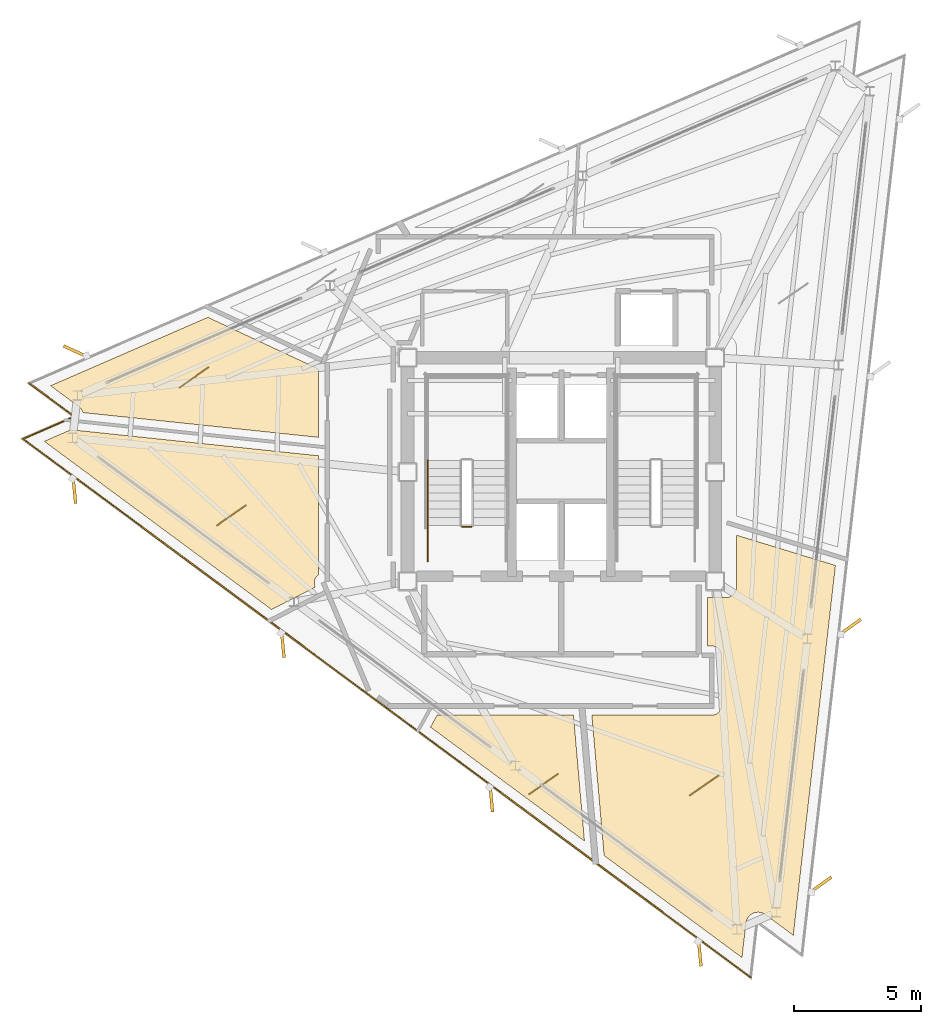
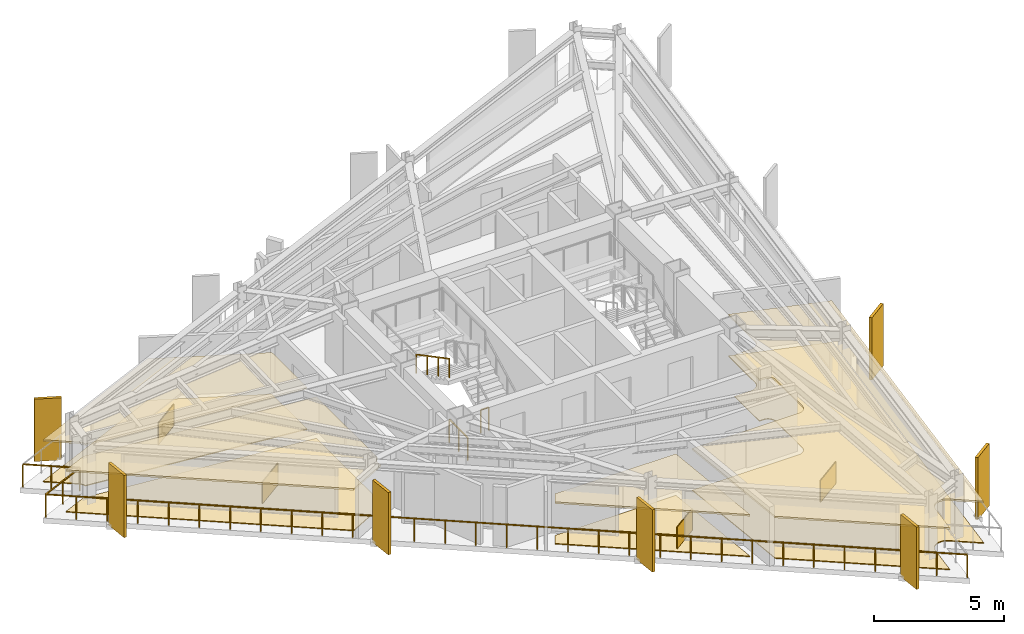
# One storey, part 8 of 10: 12 coverings, 7 shading devices, 4 railings.
"""IFC4 building model written with IfcOpenShell, lengths in metres."""

from ifc_helpers import new_model, si_unit, direction, frame, origin, origin_2d, place, context, subcontext, project, spatial, polyline, rectangle, outline, extrude, material, layer, layer_set, type_object, element, save


model = new_model("IFC4")

# Units and contexts
model_context = context("Model", 3, precision=1e-05, world=origin(), true_north=direction((0.0, 1.0)))
body_context = subcontext(model_context, "Body", "Model", "MODEL_VIEW")
ifc_project = project(units=[si_unit("LENGTHUNIT", "METRE"), si_unit("AREAUNIT", "SQUARE_METRE"), si_unit("VOLUMEUNIT", "CUBIC_METRE"), si_unit("PLANEANGLEUNIT", "RADIAN"), si_unit("MASSUNIT", "GRAM", prefix="KILO")], contexts=[model_context])

# Site, building, storey
site_placement = place(None, origin())
site = spatial("IfcSite", under=ifc_project, at=site_placement, CompositionType="ELEMENT")
building_placement = place(site_placement, origin())
building = spatial("IfcBuilding", under=site, at=building_placement, Name="Rocaltana Carrier Exchange", CompositionType="ELEMENT")
storey_placement = place(building_placement, frame((0.0, 0.0, 230.080078125)))
storey = spatial("IfcBuildingStorey", under=building, at=storey_placement, Name="L73", CompositionType="ELEMENT", Elevation=230.080078125)

# Coverings
ifc_material_1 = material(Name="Honed Bogota Sandstone Tile", Category="masonry")
ifc_layer_1 = layer(ifc_material_1, 0.0400390625)
ifc_layer_set_1 = layer_set([ifc_layer_1], Name="Honed Bogota Sandstone Tile")
covering_type_1 = type_object("IfcCoveringType", Name="Honed Stone Lobby Flooring 40", PredefinedType="FLOORING", material=ifc_layer_set_1)
covering_1_placement = place(storey_placement, origin())
element("IfcCovering", 1, at=covering_1_placement, inside=storey, type_object=covering_type_1, Name="L73 Client Reception Foyer Finish Floor", PredefinedType="FLOORING", context=body_context, shape_type="SweptSolid", body=[
    extrude(outline(polyline([(-19.29052734375, 1.66552734375), (-9.56005859375, 0.642822265625), (-9.56005859375, -4.052001953125), (-9.57177734375, -4.06005859375), (-9.578125, -4.064697265625), (-9.59912109375, -4.082275390625), (-9.60498046875, -4.087646484375), (-9.624267578125, -4.107177734375), (-9.629638671875, -4.113037109375), (-9.64697265625, -4.134521484375), (-9.651611328125, -4.140625), (-9.666748046875, -4.16357421875), (-9.670654296875, -4.17041015625), (-9.68359375, -4.194580078125), (-9.686767578125, -4.201904296875), (-9.697265625, -4.227294921875), (-9.69970703125, -4.234619140625), (-9.70751953125, -4.260986328125), (-9.70947265625, -4.2685546875), (-9.714599609375, -4.295654296875), (-9.7158203125, -4.30322265625), (-9.718505859375, -4.330810546875), (-9.71875, -4.33837890625), (-9.718505859375, -4.365966796875), (-9.71826171875, -4.373779296875), (-9.71533203125, -4.401123046875), (-9.714111328125, -4.408935546875), (-9.70849609375, -4.435791015625), (-9.706787109375, -4.443603515625), (-9.698486328125, -4.4697265625), (-9.69580078125, -4.47705078125), (-9.69091796875, -4.489990234375), (-9.67578125, -4.52587890625), (-11.3994140625, -5.404296875), (-20.337890625, 1.210205078125), (-19.29052734375, 1.66552734375)])), origin(), (0.0, 0.0, 1.0), 0.0400390625),
])
covering_2_placement = place(storey_placement, origin())
element("IfcCovering", 2, at=covering_2_placement, inside=storey, type_object=covering_type_1, Name="L73 Staff Break Pantry Finish Floor", PredefinedType="FLOORING", context=body_context, shape_type="SweptSolid", body=[
    extrude(outline(polyline([(0.47509765625, -9.56005859375), (0.908203125, -14.51123046875), (-5.14794921875, -10.02978515625), (-4.8876953125, -9.56005859375), (0.47509765625, -9.56005859375)])), origin(), (0.0, 0.0, 1.0), 0.0400390625),
])
covering_3_placement = place(storey_placement, origin())
element("IfcCovering", 3, at=covering_3_placement, inside=storey, type_object=covering_type_1, Name="L73 Client Reception Foyer Finish Floor", PredefinedType="FLOORING", context=body_context, shape_type="SweptSolid", body=[
    extrude(outline(polyline([(5.739990234375, -6.840087890625), (5.739990234375, -4.93994140625), (6.449951171875, -4.93994140625), (6.463623046875, -4.939697265625), (6.4794921875, -4.93896484375), (6.5068359375, -4.936279296875), (6.522216796875, -4.933837890625), (6.54931640625, -4.928466796875), (6.564453125, -4.9248046875), (6.5908203125, -4.916748046875), (6.605712890625, -4.91162109375), (6.630859375, -4.90087890625), (6.64501953125, -4.894287109375), (6.66943359375, -4.88134765625), (6.682861328125, -4.873291015625), (6.705810546875, -4.85791015625), (6.71826171875, -4.8486328125), (6.739501953125, -4.8310546875), (6.751220703125, -4.820556640625), (6.7705078125, -4.80126953125), (6.781005859375, -4.78955078125), (6.798583984375, -4.768310546875), (6.807861328125, -4.755615234375), (6.8232421875, -4.73291015625), (6.831298828125, -4.719482421875), (6.84423828125, -4.695068359375), (6.850830078125, -4.680908203125), (6.861572265625, -4.655517578125), (6.86669921875, -4.640869140625), (6.874755859375, -4.614501953125), (6.87841796875, -4.59912109375), (6.8837890625, -4.572265625), (6.88623046875, -4.556884765625), (6.888916015625, -4.529296875), (6.8896484375, -4.513671875), (6.889892578125, -4.5), (6.889892578125, -2.48291015625), (10.7783203125, -3.671630859375), (9.12109375, -18.21826171875), (8.020751953125, -17.404052734375), (8.009521484375, -17.39599609375), (7.992919921875, -17.385009765625), (7.96875, -17.370849609375), (7.951171875, -17.361572265625), (7.92578125, -17.349609375), (7.907470703125, -17.342041015625), (7.881103515625, -17.332763671875), (7.862060546875, -17.3271484375), (7.8349609375, -17.320556640625), (7.815185546875, -17.31689453125), (7.78759765625, -17.31298828125), (7.767822265625, -17.311279296875), (7.739990234375, -17.310302734375), (7.719970703125, -17.310302734375), (7.692138671875, -17.31201171875), (7.67236328125, -17.314208984375), (7.644775390625, -17.31884765625), (7.625244140625, -17.322998046875), (7.59814453125, -17.330078125), (7.579345703125, -17.336181640625), (7.552978515625, -17.34619140625), (7.534912109375, -17.35400390625), (7.509765625, -17.366455078125), (7.492431640625, -17.376220703125), (7.46875, -17.39111328125), (7.452392578125, -17.40234375), (7.430419921875, -17.41943359375), (7.415283203125, -17.4326171875), (7.39501953125, -17.45166015625), (7.381103515625, -17.466064453125), (7.363037109375, -17.4873046875), (7.3505859375, -17.5029296875), (7.334716796875, -17.52587890625), (7.32421875, -17.542724609375), (7.310302734375, -17.56689453125), (7.301513671875, -17.5849609375), (7.290283203125, -17.6103515625), (7.283203125, -17.629150390625), (7.274658203125, -17.655517578125), (7.26953125, -17.6748046875), (7.263671875, -17.7021484375), (7.26025390625, -17.7216796875), (7.25830078125, -17.735595703125), (7.103515625, -19.095458984375), (1.680908203125, -15.0830078125), (1.19775390625, -9.56005859375), (5.919921875, -9.56005859375), (5.93359375, -9.559814453125), (5.941650390625, -9.559326171875), (5.968994140625, -9.556640625), (5.976806640625, -9.555419921875), (6.003662109375, -9.550048828125), (6.01123046875, -9.548095703125), (6.03759765625, -9.540283203125), (6.044921875, -9.53759765625), (6.0703125, -9.527099609375), (6.077392578125, -9.523681640625), (6.101806640625, -9.5107421875), (6.1083984375, -9.506591796875), (6.131103515625, -9.491455078125), (6.137451171875, -9.48681640625), (6.15869140625, -9.46923828125), (6.16455078125, -9.464111328125), (6.18408203125, -9.444580078125), (6.189208984375, -9.438720703125), (6.206787109375, -9.41748046875), (6.21142578125, -9.4111328125), (6.226806640625, -9.388427734375), (6.230712890625, -9.381591796875), (6.24365234375, -9.357421875), (6.2470703125, -9.350341796875), (6.257568359375, -9.324951171875), (6.26025390625, -9.317626953125), (6.268310546875, -9.291259765625), (6.27001953125, -9.28369140625), (6.275390625, -9.256591796875), (6.276611328125, -9.248779296875), (6.279296875, -9.2216796875), (6.27978515625, -9.213623046875), (6.280029296875, -9.199951171875), (6.280029296875, -7.199951171875), (6.27978515625, -7.186279296875), (6.279296875, -7.178466796875), (6.276611328125, -7.151123046875), (6.275390625, -7.143310546875), (6.27001953125, -7.116455078125), (6.268310546875, -7.108642578125), (6.26025390625, -7.08251953125), (6.257568359375, -7.0751953125), (6.2470703125, -7.0498046875), (6.24365234375, -7.04248046875), (6.230712890625, -7.018310546875), (6.226806640625, -7.01171875), (6.21142578125, -6.98876953125), (6.206787109375, -6.982421875), (6.189208984375, -6.961181640625), (6.18408203125, -6.955322265625), (6.16455078125, -6.93603515625), (6.15869140625, -6.9306640625), (6.137451171875, -6.913330078125), (6.131103515625, -6.90869140625), (6.1083984375, -6.893310546875), (6.101806640625, -6.889404296875), (6.077392578125, -6.876220703125), (6.0703125, -6.873046875), (6.044921875, -6.862548828125), (6.03759765625, -6.85986328125), (6.01123046875, -6.851806640625), (6.003662109375, -6.849853515625), (5.976806640625, -6.844482421875), (5.968994140625, -6.843505859375), (5.941650390625, -6.8408203125), (5.93359375, -6.84033203125), (5.919921875, -6.840087890625), (5.739990234375, -6.840087890625)])), origin(), (0.0, 0.0, 1.0), 0.0400390625),
])
covering_4_placement = place(storey_placement, origin())
element("IfcCovering", 4, at=covering_4_placement, inside=storey, type_object=covering_type_1, Name="L73 Client Reception Foyer Finish Floor", PredefinedType="FLOORING", context=body_context, shape_type="SweptSolid", body=[
    extrude(outline(polyline([(-18.81640625, 2.339599609375), (-18.81689453125, 2.3408203125), (-18.825927734375, 2.366943359375), (-18.83349609375, 2.385498046875), (-18.84521484375, 2.410888671875), (-18.8544921875, 2.428466796875), (-18.86865234375, 2.452392578125), (-18.879638671875, 2.468994140625), (-18.896240234375, 2.49169921875), (-18.908935546875, 2.507080078125), (-18.927490234375, 2.52783203125), (-18.941650390625, 2.5419921875), (-18.96240234375, 2.560546875), (-18.977783203125, 2.5732421875), (-18.98876953125, 2.581787109375), (-20.089111328125, 3.39599609375), (-13.90283203125, 6.085693359375), (-9.58984375, 4.07470703125), (-9.578125, 4.064697265625), (-9.57177734375, 4.06005859375), (-9.56005859375, 4.052001953125), (-9.56005859375, 1.36669921875), (-18.81640625, 2.339599609375)])), origin(), (0.0, 0.0, 1.0), 0.0400390625),
])
ifc_material_2 = material(Name="Anodised Aluminium 6063-T6", Category="aluminium")
ifc_layer_2 = layer(ifc_material_2, 0.0849609375)
ifc_layer_set_2 = layer_set([ifc_layer_2], Name="Anodised Aluminium 6063-T6")
covering_type_2 = type_object("IfcCoveringType", Name="Linear Baffle Acoustic Ceiling 85", PredefinedType="CEILING", material=ifc_layer_set_2)
covering_5_placement = place(storey_placement, frame((0.0, 0.0, 1.90283203125)))
element("IfcCovering", 5, at=covering_5_placement, inside=storey, type_object=covering_type_2, Name="L73 Client Reception Foyer Acoustic Ceiling", PredefinedType="CEILING", context=body_context, shape_type="SweptSolid", body=[
    extrude(outline(polyline([(-19.29052734375, 1.66552734375), (-9.56005859375, 0.642822265625), (-9.56005859375, -4.052001953125), (-9.57177734375, -4.06005859375), (-9.578125, -4.064697265625), (-9.59912109375, -4.082275390625), (-9.60498046875, -4.087646484375), (-9.624267578125, -4.107177734375), (-9.629638671875, -4.113037109375), (-9.64697265625, -4.134521484375), (-9.651611328125, -4.140625), (-9.666748046875, -4.16357421875), (-9.670654296875, -4.17041015625), (-9.68359375, -4.194580078125), (-9.686767578125, -4.201904296875), (-9.697265625, -4.227294921875), (-9.69970703125, -4.234619140625), (-9.70751953125, -4.260986328125), (-9.70947265625, -4.2685546875), (-9.714599609375, -4.295654296875), (-9.7158203125, -4.30322265625), (-9.718505859375, -4.330810546875), (-9.71875, -4.33837890625), (-9.718505859375, -4.365966796875), (-9.71826171875, -4.373779296875), (-9.71533203125, -4.401123046875), (-9.714111328125, -4.408935546875), (-9.70849609375, -4.435791015625), (-9.706787109375, -4.443603515625), (-9.698486328125, -4.4697265625), (-9.69580078125, -4.47705078125), (-9.69091796875, -4.489990234375), (-9.67578125, -4.52587890625), (-11.3994140625, -5.404296875), (-20.337890625, 1.210205078125), (-19.29052734375, 1.66552734375)])), origin(), (0.0, 0.0, 1.0), 0.085205078125),
])
covering_6_placement = place(storey_placement, frame((0.0, 0.0, 1.90283203125)))
element("IfcCovering", 6, at=covering_6_placement, inside=storey, type_object=covering_type_2, Name="L73 Staff Break Pantry Acoustic Ceiling", PredefinedType="CEILING", context=body_context, shape_type="SweptSolid", body=[
    extrude(outline(polyline([(0.47509765625, -9.56005859375), (0.908203125, -14.51123046875), (-5.14794921875, -10.02978515625), (-4.8876953125, -9.56005859375), (0.47509765625, -9.56005859375)])), origin(), (0.0, 0.0, 1.0), 0.085205078125),
])
covering_7_placement = place(storey_placement, frame((0.0, 0.0, 1.90283203125)))
element("IfcCovering", 7, at=covering_7_placement, inside=storey, type_object=covering_type_2, Name="L73 Client Reception Foyer Acoustic Ceiling", PredefinedType="CEILING", context=body_context, shape_type="SweptSolid", body=[
    extrude(outline(polyline([(5.739990234375, -6.840087890625), (5.739990234375, -4.93994140625), (6.449951171875, -4.93994140625), (6.463623046875, -4.939697265625), (6.4794921875, -4.93896484375), (6.5068359375, -4.936279296875), (6.522216796875, -4.933837890625), (6.54931640625, -4.928466796875), (6.564453125, -4.9248046875), (6.5908203125, -4.916748046875), (6.605712890625, -4.91162109375), (6.630859375, -4.90087890625), (6.64501953125, -4.894287109375), (6.66943359375, -4.88134765625), (6.682861328125, -4.873291015625), (6.705810546875, -4.85791015625), (6.71826171875, -4.8486328125), (6.739501953125, -4.8310546875), (6.751220703125, -4.820556640625), (6.7705078125, -4.80126953125), (6.781005859375, -4.78955078125), (6.798583984375, -4.768310546875), (6.807861328125, -4.755615234375), (6.8232421875, -4.73291015625), (6.831298828125, -4.719482421875), (6.84423828125, -4.695068359375), (6.850830078125, -4.680908203125), (6.861572265625, -4.655517578125), (6.86669921875, -4.640869140625), (6.874755859375, -4.614501953125), (6.87841796875, -4.59912109375), (6.8837890625, -4.572265625), (6.88623046875, -4.556884765625), (6.888916015625, -4.529296875), (6.8896484375, -4.513671875), (6.889892578125, -4.5), (6.889892578125, -2.48291015625), (10.7783203125, -3.671630859375), (9.12109375, -18.21826171875), (8.020751953125, -17.404052734375), (8.009521484375, -17.39599609375), (7.992919921875, -17.385009765625), (7.96875, -17.370849609375), (7.951171875, -17.361572265625), (7.92578125, -17.349609375), (7.907470703125, -17.342041015625), (7.881103515625, -17.332763671875), (7.862060546875, -17.3271484375), (7.8349609375, -17.320556640625), (7.815185546875, -17.31689453125), (7.78759765625, -17.31298828125), (7.767822265625, -17.311279296875), (7.739990234375, -17.310302734375), (7.719970703125, -17.310302734375), (7.692138671875, -17.31201171875), (7.67236328125, -17.314208984375), (7.644775390625, -17.31884765625), (7.625244140625, -17.322998046875), (7.59814453125, -17.330078125), (7.579345703125, -17.336181640625), (7.552978515625, -17.34619140625), (7.534912109375, -17.35400390625), (7.509765625, -17.366455078125), (7.492431640625, -17.376220703125), (7.46875, -17.39111328125), (7.452392578125, -17.40234375), (7.430419921875, -17.41943359375), (7.415283203125, -17.4326171875), (7.39501953125, -17.45166015625), (7.381103515625, -17.466064453125), (7.363037109375, -17.4873046875), (7.3505859375, -17.5029296875), (7.334716796875, -17.52587890625), (7.32421875, -17.542724609375), (7.310302734375, -17.56689453125), (7.301513671875, -17.5849609375), (7.290283203125, -17.6103515625), (7.283203125, -17.629150390625), (7.274658203125, -17.655517578125), (7.26953125, -17.6748046875), (7.263671875, -17.7021484375), (7.26025390625, -17.7216796875), (7.25830078125, -17.735595703125), (7.103515625, -19.095458984375), (1.680908203125, -15.0830078125), (1.19775390625, -9.56005859375), (5.919921875, -9.56005859375), (5.93359375, -9.559814453125), (5.941650390625, -9.559326171875), (5.968994140625, -9.556640625), (5.976806640625, -9.555419921875), (6.003662109375, -9.550048828125), (6.01123046875, -9.548095703125), (6.03759765625, -9.540283203125), (6.044921875, -9.53759765625), (6.0703125, -9.527099609375), (6.077392578125, -9.523681640625), (6.101806640625, -9.5107421875), (6.1083984375, -9.506591796875), (6.131103515625, -9.491455078125), (6.137451171875, -9.48681640625), (6.15869140625, -9.46923828125), (6.16455078125, -9.464111328125), (6.18408203125, -9.444580078125), (6.189208984375, -9.438720703125), (6.206787109375, -9.41748046875), (6.21142578125, -9.4111328125), (6.226806640625, -9.388427734375), (6.230712890625, -9.381591796875), (6.24365234375, -9.357421875), (6.2470703125, -9.350341796875), (6.257568359375, -9.324951171875), (6.26025390625, -9.317626953125), (6.268310546875, -9.291259765625), (6.27001953125, -9.28369140625), (6.275390625, -9.256591796875), (6.276611328125, -9.248779296875), (6.279296875, -9.2216796875), (6.27978515625, -9.213623046875), (6.280029296875, -9.199951171875), (6.280029296875, -7.199951171875), (6.27978515625, -7.186279296875), (6.279296875, -7.178466796875), (6.276611328125, -7.151123046875), (6.275390625, -7.143310546875), (6.27001953125, -7.116455078125), (6.268310546875, -7.108642578125), (6.26025390625, -7.08251953125), (6.257568359375, -7.0751953125), (6.2470703125, -7.0498046875), (6.24365234375, -7.04248046875), (6.230712890625, -7.018310546875), (6.226806640625, -7.01171875), (6.21142578125, -6.98876953125), (6.206787109375, -6.982421875), (6.189208984375, -6.961181640625), (6.18408203125, -6.955322265625), (6.16455078125, -6.93603515625), (6.15869140625, -6.9306640625), (6.137451171875, -6.913330078125), (6.131103515625, -6.90869140625), (6.1083984375, -6.893310546875), (6.101806640625, -6.889404296875), (6.077392578125, -6.876220703125), (6.0703125, -6.873046875), (6.044921875, -6.862548828125), (6.03759765625, -6.85986328125), (6.01123046875, -6.851806640625), (6.003662109375, -6.849853515625), (5.976806640625, -6.844482421875), (5.968994140625, -6.843505859375), (5.941650390625, -6.8408203125), (5.93359375, -6.84033203125), (5.919921875, -6.840087890625), (5.739990234375, -6.840087890625)])), origin(), (0.0, 0.0, 1.0), 0.085205078125),
])
covering_8_placement = place(storey_placement, frame((0.0, 0.0, 1.90283203125)))
element("IfcCovering", 8, at=covering_8_placement, inside=storey, type_object=covering_type_2, Name="L73 Client Reception Foyer Acoustic Ceiling", PredefinedType="CEILING", context=body_context, shape_type="SweptSolid", body=[
    extrude(outline(polyline([(-18.81640625, 2.339599609375), (-18.81689453125, 2.3408203125), (-18.825927734375, 2.366943359375), (-18.83349609375, 2.385498046875), (-18.84521484375, 2.410888671875), (-18.8544921875, 2.428466796875), (-18.86865234375, 2.452392578125), (-18.879638671875, 2.468994140625), (-18.896240234375, 2.49169921875), (-18.908935546875, 2.507080078125), (-18.927490234375, 2.52783203125), (-18.941650390625, 2.5419921875), (-18.96240234375, 2.560546875), (-18.977783203125, 2.5732421875), (-18.98876953125, 2.581787109375), (-20.089111328125, 3.39599609375), (-13.90283203125, 6.085693359375), (-9.58984375, 4.07470703125), (-9.578125, 4.064697265625), (-9.57177734375, 4.06005859375), (-9.56005859375, 4.052001953125), (-9.56005859375, 1.36669921875), (-18.81640625, 2.339599609375)])), origin(), (0.0, 0.0, 1.0), 0.085205078125),
])

# Railings
ifc_material_3 = material(Name="Brushed Architectural Stainless Tube", Category="steel")
ifc_layer_3 = layer(ifc_material_3, 0.048095703125)
ifc_layer_set_3 = layer_set([ifc_layer_3], Name="Brushed Architectural Stainless Tube")
railing_type_1 = type_object("IfcRailingType", Name="Stair Wall Handrail 920", PredefinedType="HANDRAIL", material=ifc_layer_set_3)
railing_1_placement = place(storey_placement, frame((-5.25, 0.4599609375, 1.688720703125)))
element("IfcRailing", 9, at=railing_1_placement, inside=storey, type_object=railing_type_1, Name="L73 ST-1 stair handrail 2", PredefinedType="HANDRAIL", context=body_context, shape_type="SweptSolid", body=[
    extrude(rectangle(XDim=0.048095703125, YDim=0.048095703125, at=origin_2d()), frame((0.0, 0.0, 0.8759765625), z_axis=(0.0, -0.884359608194, 0.46680625895), x_axis=(1.0, 0.0, 0.0)), (0.0, 0.0, 1.0), 2.894775390625),
    extrude(rectangle(XDim=0.0419921875, YDim=0.0419921875, at=origin_2d()), origin(), (0.0, 0.0, 1.0), 0.851806640625),
    extrude(rectangle(XDim=0.0419921875, YDim=0.0419921875, at=origin_2d()), frame((0.0, -0.853271484375, 0.450439453125)), (0.0, 0.0, 1.0), 0.851806640625),
    extrude(rectangle(XDim=0.0419921875, YDim=0.0419921875, at=origin_2d()), frame((0.0, -1.706787109375, 0.90087890625)), (0.0, 0.0, 1.0), 0.851806640625),
    extrude(rectangle(XDim=0.0419921875, YDim=0.0419921875, at=origin_2d()), frame((0.0, -2.56005859375, 1.351318359375)), (0.0, 0.0, 1.0), 0.851806640625),
])
ifc_material_4 = material(Name="Powder-Coated Aluminium 6063-T6", Category="aluminium")
ifc_layer_4 = layer(ifc_material_4, 0.048095703125)
ifc_layer_set_4 = layer_set([ifc_layer_4], Name="Powder-Coated Aluminium 6063-T6")
railing_type_2 = type_object("IfcRailingType", Name="Stair Well Guardrail 1100", PredefinedType="GUARDRAIL", material=ifc_layer_set_4)
railing_2_placement = place(storey_placement, frame((-3.5400390625, -2.14990234375, 0.0)))
element("IfcRailing", 10, at=railing_2_placement, inside=storey, type_object=railing_type_2, Name="L73 ST-1 stair guard 7", PredefinedType="GUARDRAIL", context=body_context, shape_type="SweptSolid", body=[
    extrude(rectangle(XDim=0.048095703125, YDim=0.048095703125, at=origin_2d()), frame((0.0, 0.0, 1.076171875), z_axis=(-1.0, 0.0, 0.0), x_axis=(0.0, -1.0, 0.0)), (0.0, 0.0, 1.0), 0.35986328125),
    extrude(rectangle(XDim=0.0419921875, YDim=0.0419921875, at=origin_2d()), origin(), (0.0, 0.0, 1.0), 1.052001953125),
    extrude(rectangle(XDim=0.0419921875, YDim=0.0419921875, at=origin_2d()), frame((-0.35986328125, 0.0, 0.0)), (0.0, 0.0, 1.0), 1.052001953125),
])
railing_3_placement = place(storey_placement, frame((-5.25, -3.5, 0.0)))
element("IfcRailing", 11, at=railing_3_placement, inside=storey, type_object=railing_type_2, Name="L73 ST-1 stair guard 9", PredefinedType="GUARDRAIL", context=body_context, shape_type="SweptSolid", body=[
    extrude(rectangle(XDim=0.048095703125, YDim=0.048095703125, at=origin_2d()), frame((0.0, 0.0, 1.076171875), z_axis=(0.0, 1.0, 0.0), x_axis=(-1.0, 0.0, 0.0)), (0.0, 0.0, 1.0), 1.39990234375),
    extrude(rectangle(XDim=0.0419921875, YDim=0.0419921875, at=origin_2d()), origin(), (0.0, 0.0, 1.0), 1.052001953125),
    extrude(rectangle(XDim=0.0419921875, YDim=0.0419921875, at=origin_2d()), frame((0.0, 0.699951171875, 0.0)), (0.0, 0.0, 1.0), 1.052001953125),
    extrude(rectangle(XDim=0.0419921875, YDim=0.0419921875, at=origin_2d()), frame((0.0, 1.39990234375, 0.0)), (0.0, 0.0, 1.0), 1.052001953125),
])

# Coverings
ifc_material_5 = material(Name="Honed Piedra Muneca Sandstone", Category="masonry")
ifc_layer_5 = layer(ifc_material_5, 0.034912109375)
ifc_layer_set_5 = layer_set([ifc_layer_5], Name="Honed Piedra Muneca Sandstone")
covering_type_3 = type_object("IfcCoveringType", Name="Stone Facade Cladding 35", PredefinedType="CLADDING", material=ifc_layer_set_5)
for number, where, z_axis, x_axis, name in (
    (12, (-12.9794921875, -1.70458984375, 0.0), (0.0, 0.0, 1.0), (0.819152044289, 0.573576436351, 0.0), "L73 Stone Facade Cladding Panel 1"),
    (13, (-0.703857421875, -12.2705078125, 0.0), (0.0, 0.0, 1.0), (0.819152044289, 0.573576436351, 0.0), "L73 Stone Facade Cladding Panel 2"),
    (14, (5.6162109375, -12.321533203125, 0.0), (0.0, 0.0, 1.0), (0.819152044289, 0.573576436351, 0.0), "L73 Stone Facade Cladding Panel 3"),
    (15, (-14.447265625, 3.72412109375, 0.0), (0.0, 0.0, 1.0), (0.819152044289, 0.573576436351, 0.0), "L73 Stone Facade Cladding Panel 7"),
):
    element("IfcCovering", number, at=place(storey_placement, frame(where, z_axis=z_axis, x_axis=x_axis)), inside=storey, type_object=covering_type_3, Name=name, PredefinedType="CLADDING", context=body_context, shape_type="SweptSolid", body=[
        extrude(rectangle(XDim=1.39990234375, YDim=0.034912109375, at=origin_2d()), origin(), (0.0, 0.0, 1.0), 1.050048828125),
    ])

# Shading devices
ifc_material_6 = material(Name="Honed Bogota Sandstone & Concrete C45/55", Category="masonry")
ifc_layer_6 = layer(ifc_material_6, 0.1201171875)
ifc_layer_set_6 = layer_set([ifc_layer_6], Name="Honed Bogota Sandstone & Concrete C45/55")
shading_device_type = type_object("IfcShadingDeviceType", Name="Upper Sandstone Shading Fin 1050x120", PredefinedType="USERDEFINED", material=ifc_layer_set_6)
for number, where, z_axis, x_axis, name in (
    (16, (10.193115234375, -16.233642578125, -0.1201171875), (0.0, 0.0, 1.0), (0.814115518356, 0.580702955711, 0.0), "L73 Sandstone Vertical Fin F1-01"),
    (17, (11.34765625, -6.099365234375, -0.1201171875), (0.0, 0.0, 1.0), (0.814115518356, 0.580702955711, 0.0), "L73 Sandstone Vertical Fin F1-02"),
    (18, (-19.099609375, 4.742431640625, -0.1201171875), (0.0, 0.0, 1.0), (-0.909961270877, 0.414693242656, 0.0), "L73 Sandstone Vertical Fin F2-04"),
    (19, (-19.1552734375, -0.71044921875, -0.1201171875), (0.0, 0.0, 1.0), (0.09584575252, -0.995396198367, 0.0), "L73 Sandstone Vertical Fin F3-01"),
    (20, (-10.955810546875, -6.777587890625, -0.1201171875), (0.0, 0.0, 1.0), (0.09584575252, -0.995396198367, 0.0), "L73 Sandstone Vertical Fin F3-02"),
    (21, (-2.756591796875, -12.844970703125, -0.1201171875), (0.0, 0.0, 1.0), (0.09584575252, -0.995396198367, 0.0), "L73 Sandstone Vertical Fin F3-03"),
    (22, (5.442626953125, -18.912109375, -0.1201171875), (0.0, 0.0, 1.0), (0.09584575252, -0.995396198367, 0.0), "L73 Sandstone Vertical Fin F3-04"),
):
    element("IfcShadingDevice", number, at=place(storey_placement, frame(where, z_axis=z_axis, x_axis=x_axis)), inside=storey, type_object=shading_device_type, Name=name, ObjectType="FIN", PredefinedType="USERDEFINED", context=body_context, shape_type="SweptSolid", body=[
        extrude(rectangle(XDim=1.050048828125, YDim=0.1201171875, at=origin_2d()), origin(), (0.0, 0.0, 1.0), 2.91796875),
    ])

# Railing
ifc_material_7 = material(Name="Powder-Coated Aluminium 6063-T6", Category="aluminium")
ifc_layer_7 = layer(ifc_material_7, 0.06005859375)
ifc_layer_set_7 = layer_set([ifc_layer_7], Name="Powder-Coated Aluminium 6063-T6")
railing_type_3 = type_object("IfcRailingType", Name="Wind-Floor & Terrace Perimeter Guardrail 1100", PredefinedType="GUARDRAIL", material=ifc_layer_set_7)
railing_4_placement = place(storey_placement, frame((7.4384765625, -19.865966796875, 0.0)))
element("IfcRailing", 23, at=railing_4_placement, inside=storey, type_object=railing_type_3, Name="L73 Perimeter Balcony Guardrail 1", PredefinedType="GUARDRAIL", context=body_context, shape_type="SweptSolid", body=[
    extrude(rectangle(XDim=0.048095703125, YDim=0.048095703125, at=origin_2d()), frame((0.0, 0.0, 1.076171875), z_axis=(-0.803856133623, 0.594823769226, 0.0), x_axis=(-0.594823769226, -0.803856133623, 0.0)), (0.0, 0.0, 1.0), 35.59228515625),
    extrude(rectangle(XDim=0.048095703125, YDim=0.048095703125, at=origin_2d()), frame((-28.611083984375, 21.171142578125, 1.076171875), z_axis=(0.917071820503, 0.398722053614, 0.0), x_axis=(-0.398722053614, 0.917071820503, 0.0)), (0.0, 0.0, 1.0), 2.199951171875),
    extrude(rectangle(XDim=0.048095703125, YDim=0.048095703125, at=origin_2d()), frame((-26.593505859375, 22.04833984375, 1.076171875), z_axis=(-0.803871612758, 0.59480284986, 0.0), x_axis=(-0.59480284986, -0.803871612758, 0.0)), (0.0, 0.0, 1.0), 2.199951171875),
    extrude(rectangle(XDim=0.0419921875, YDim=0.0419921875, at=origin_2d()), origin(), (0.0, 0.0, 1.0), 1.052001953125),
    extrude(rectangle(XDim=0.0419921875, YDim=0.0419921875, at=origin_2d()), frame((-0.95361328125, 0.705810546875, 0.0)), (0.0, 0.0, 1.0), 1.052001953125),
    extrude(rectangle(XDim=0.0419921875, YDim=0.0419921875, at=origin_2d()), frame((-1.907470703125, 1.411376953125, 0.0)), (0.0, 0.0, 1.0), 1.052001953125),
    extrude(rectangle(XDim=0.0419921875, YDim=0.0419921875, at=origin_2d()), frame((-2.861083984375, 2.1171875, 0.0)), (0.0, 0.0, 1.0), 1.052001953125),
    extrude(rectangle(XDim=0.0419921875, YDim=0.0419921875, at=origin_2d()), frame((-3.814697265625, 2.82275390625, 0.0)), (0.0, 0.0, 1.0), 1.052001953125),
    extrude(rectangle(XDim=0.0419921875, YDim=0.0419921875, at=origin_2d()), frame((-4.7685546875, 3.528564453125, 0.0)), (0.0, 0.0, 1.0), 1.052001953125),
    extrude(rectangle(XDim=0.0419921875, YDim=0.0419921875, at=origin_2d()), frame((-5.72216796875, 4.234130859375, 0.0)), (0.0, 0.0, 1.0), 1.052001953125),
    extrude(rectangle(XDim=0.0419921875, YDim=0.0419921875, at=origin_2d()), frame((-6.676025390625, 4.93994140625, 0.0)), (0.0, 0.0, 1.0), 1.052001953125),
    extrude(rectangle(XDim=0.0419921875, YDim=0.0419921875, at=origin_2d()), frame((-7.629638671875, 5.645751953125, 0.0)), (0.0, 0.0, 1.0), 1.052001953125),
    extrude(rectangle(XDim=0.0419921875, YDim=0.0419921875, at=origin_2d()), frame((-8.583251953125, 6.351318359375, 0.0)), (0.0, 0.0, 1.0), 1.052001953125),
    extrude(rectangle(XDim=0.0419921875, YDim=0.0419921875, at=origin_2d()), frame((-9.537109375, 7.05712890625, 0.0)), (0.0, 0.0, 1.0), 1.052001953125),
    extrude(rectangle(XDim=0.0419921875, YDim=0.0419921875, at=origin_2d()), frame((-10.49072265625, 7.7626953125, 0.0)), (0.0, 0.0, 1.0), 1.052001953125),
    extrude(rectangle(XDim=0.0419921875, YDim=0.0419921875, at=origin_2d()), frame((-11.4443359375, 8.468505859375, 0.0)), (0.0, 0.0, 1.0), 1.052001953125),
    extrude(rectangle(XDim=0.0419921875, YDim=0.0419921875, at=origin_2d()), frame((-12.398193359375, 9.174072265625, 0.0)), (0.0, 0.0, 1.0), 1.052001953125),
    extrude(rectangle(XDim=0.0419921875, YDim=0.0419921875, at=origin_2d()), frame((-13.351806640625, 9.8798828125, 0.0)), (0.0, 0.0, 1.0), 1.052001953125),
    extrude(rectangle(XDim=0.0419921875, YDim=0.0419921875, at=origin_2d()), frame((-14.3056640625, 10.58544921875, 0.0)), (0.0, 0.0, 1.0), 1.052001953125),
    extrude(rectangle(XDim=0.0419921875, YDim=0.0419921875, at=origin_2d()), frame((-15.25927734375, 11.291259765625, 0.0)), (0.0, 0.0, 1.0), 1.052001953125),
    extrude(rectangle(XDim=0.0419921875, YDim=0.0419921875, at=origin_2d()), frame((-16.212890625, 11.9970703125, 0.0)), (0.0, 0.0, 1.0), 1.052001953125),
    extrude(rectangle(XDim=0.0419921875, YDim=0.0419921875, at=origin_2d()), frame((-17.166748046875, 12.70263671875, 0.0)), (0.0, 0.0, 1.0), 1.052001953125),
    extrude(rectangle(XDim=0.0419921875, YDim=0.0419921875, at=origin_2d()), frame((-18.120361328125, 13.408447265625, 0.0)), (0.0, 0.0, 1.0), 1.052001953125),
    extrude(rectangle(XDim=0.0419921875, YDim=0.0419921875, at=origin_2d()), frame((-19.073974609375, 14.114013671875, 0.0)), (0.0, 0.0, 1.0), 1.052001953125),
    extrude(rectangle(XDim=0.0419921875, YDim=0.0419921875, at=origin_2d()), frame((-20.02783203125, 14.81982421875, 0.0)), (0.0, 0.0, 1.0), 1.052001953125),
    extrude(rectangle(XDim=0.0419921875, YDim=0.0419921875, at=origin_2d()), frame((-20.9814453125, 15.525390625, 0.0)), (0.0, 0.0, 1.0), 1.052001953125),
    extrude(rectangle(XDim=0.0419921875, YDim=0.0419921875, at=origin_2d()), frame((-21.93505859375, 16.231201171875, 0.0)), (0.0, 0.0, 1.0), 1.052001953125),
    extrude(rectangle(XDim=0.0419921875, YDim=0.0419921875, at=origin_2d()), frame((-22.888916015625, 16.93701171875, 0.0)), (0.0, 0.0, 1.0), 1.052001953125),
    extrude(rectangle(XDim=0.0419921875, YDim=0.0419921875, at=origin_2d()), frame((-23.842529296875, 17.642578125, 0.0)), (0.0, 0.0, 1.0), 1.052001953125),
    extrude(rectangle(XDim=0.0419921875, YDim=0.0419921875, at=origin_2d()), frame((-24.79638671875, 18.348388671875, 0.0)), (0.0, 0.0, 1.0), 1.052001953125),
    extrude(rectangle(XDim=0.0419921875, YDim=0.0419921875, at=origin_2d()), frame((-25.75, 19.053955078125, 0.0)), (0.0, 0.0, 1.0), 1.052001953125),
    extrude(rectangle(XDim=0.0419921875, YDim=0.0419921875, at=origin_2d()), frame((-26.70361328125, 19.759765625, 0.0)), (0.0, 0.0, 1.0), 1.052001953125),
    extrude(rectangle(XDim=0.0419921875, YDim=0.0419921875, at=origin_2d()), frame((-27.657470703125, 20.46533203125, 0.0)), (0.0, 0.0, 1.0), 1.052001953125),
    extrude(rectangle(XDim=0.0419921875, YDim=0.0419921875, at=origin_2d()), frame((-28.611083984375, 21.171142578125, 0.0)), (0.0, 0.0, 1.0), 1.052001953125),
    extrude(rectangle(XDim=0.0419921875, YDim=0.0419921875, at=origin_2d()), frame((-27.602294921875, 21.60986328125, 0.0)), (0.0, 0.0, 1.0), 1.052001953125),
    extrude(rectangle(XDim=0.0419921875, YDim=0.0419921875, at=origin_2d()), frame((-26.593505859375, 22.04833984375, 0.0)), (0.0, 0.0, 1.0), 1.052001953125),
    extrude(rectangle(XDim=0.0419921875, YDim=0.0419921875, at=origin_2d()), frame((-27.477783203125, 22.70263671875, 0.0)), (0.0, 0.0, 1.0), 1.052001953125),
    extrude(rectangle(XDim=0.0419921875, YDim=0.0419921875, at=origin_2d()), frame((-28.362060546875, 23.35693359375, 0.0)), (0.0, 0.0, 1.0), 1.052001953125),
])

save(model, "model.ifc")
